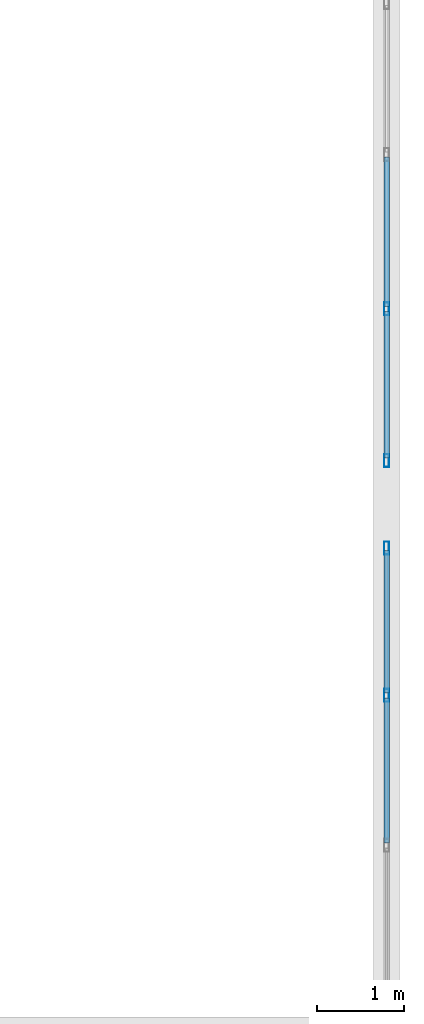
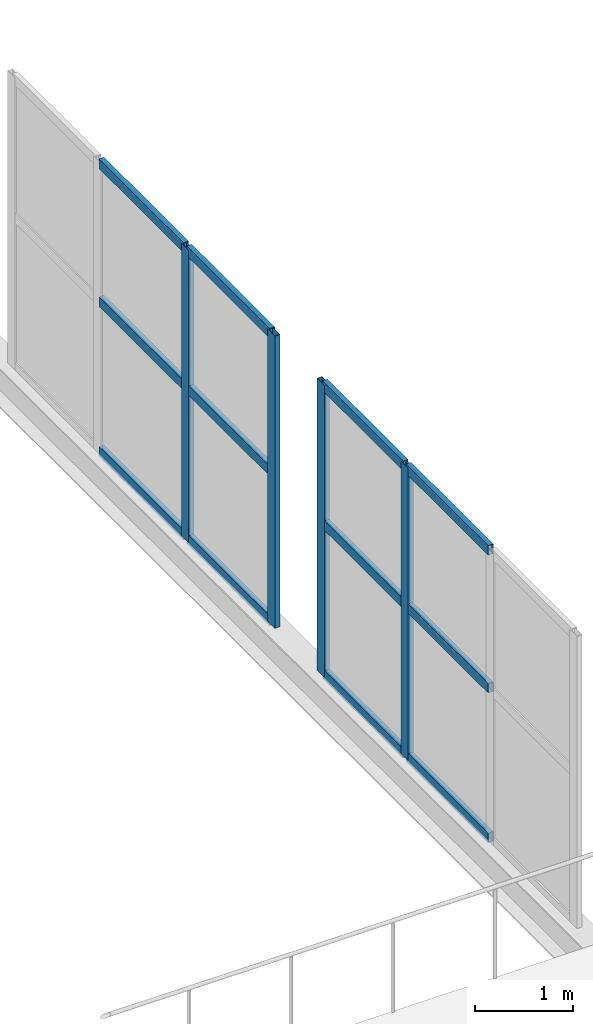
# One storey, part 154 of 218: 16 members, 2 elements without a shape of their own.
"""IFC4 building model written with IfcOpenShell, lengths in metres."""

from ifc_helpers import new_model, si_unit, direction, frame, origin, origin_2d, place, context, subcontext, project, spatial, hollow_rectangle, extrude, material, material_profile, profile_set, type_object, element, aggregate, save


model = new_model("IFC4")

# Units and contexts
model_context = context("Model", 3, precision=1e-05, world=origin(), true_north=direction((0.0, 1.0)))
body_context = subcontext(model_context, "Body", "Model", "MODEL_VIEW")
ifc_project = project(units=[si_unit("LENGTHUNIT", "METRE"), si_unit("AREAUNIT", "SQUARE_METRE"), si_unit("VOLUMEUNIT", "CUBIC_METRE"), si_unit("PLANEANGLEUNIT", "RADIAN"), si_unit("MASSUNIT", "GRAM", prefix="KILO")], contexts=[model_context])

# Site, building, storey
site_placement = place(None, origin())
site = spatial("IfcSite", under=ifc_project, at=site_placement, CompositionType="ELEMENT")
building_placement = place(site_placement, origin())
building = spatial("IfcBuilding", under=site, at=building_placement, Name="Kazenagashi Tramway Depot", CompositionType="ELEMENT")
storey_placement = place(building_placement, frame((0.0, 0.0, 6.0)))
storey = spatial("IfcBuildingStorey", under=building, at=storey_placement, Name="L02", CompositionType="ELEMENT", Elevation=6.0)

# Curtain wall, members
ifc_material_1 = material(Name="Anodised Aluminium and Low-E Glazing", Category="aluminium")
curtain_wall_type_1 = type_object("IfcCurtainWallType", Name="CW-04", PredefinedType="USERDEFINED", material=ifc_material_1)
curtain_wall_1_placement = place(storey_placement, origin())
curtain_wall_1 = element("IfcCurtainWall", 1, at=curtain_wall_1_placement, inside=storey, type_object=curtain_wall_type_1, Name="Industrial Glazed Screen CW-04 CW-0004", ObjectType="GLAZED SCREEN", PredefinedType="USERDEFINED")
ifc_material_2 = material(Name="Anodised Aluminium", Category="aluminium")
ifc_material_profile_1 = material_profile(ifc_material_2, hollow_rectangle(XDim=0.06, YDim=0.15, WallThickness=0.004, at=origin_2d()), Name="RHS-150x60x4")
ifc_profile_set_1 = profile_set([ifc_material_profile_1], Name="Anodised Aluminium")
member_type_1 = type_object("IfcMemberType", Name="ML-01", PredefinedType="MULLION", material=ifc_profile_set_1)
member_1_placement = place(storey_placement, frame((196.0, 83.866667, -0.02), z_axis=(0.0, 0.0, 1.0), x_axis=(-1.0, 0.0, 0.0)))
member_1 = element("IfcMember", 2, at=member_1_placement, type_object=member_type_1, Name="CW-04 mullion 3", PredefinedType="MULLION", context=body_context, shape_type="SweptSolid", body=[
    extrude(hollow_rectangle(XDim=0.06, YDim=0.15, WallThickness=0.004, at=origin_2d()), origin(), (0.0, 0.0, 1.0), 3.632),
])
member_2_placement = place(storey_placement, frame((196.0, 85.57, -0.02), z_axis=(0.0, 0.0, 1.0), x_axis=(-1.0, 0.0, 0.0)))
member_2 = element("IfcMember", 3, at=member_2_placement, type_object=member_type_1, Name="CW-04 mullion 4", PredefinedType="MULLION", context=body_context, shape_type="SweptSolid", body=[
    extrude(hollow_rectangle(XDim=0.06, YDim=0.15, WallThickness=0.004, at=origin_2d()), origin(), (0.0, 0.0, 1.0), 3.632),
])

curtain_wall_type_2 = type_object("IfcCurtainWallType", Name="CW-06", PredefinedType="USERDEFINED", material=ifc_material_1)
curtain_wall_2_placement = place(storey_placement, origin())
curtain_wall_2 = element("IfcCurtainWall", 4, at=curtain_wall_2_placement, inside=storey, type_object=curtain_wall_type_2, Name="Industrial Glazed Screen CW-06 CW-0006", ObjectType="GLAZED SCREEN", PredefinedType="USERDEFINED")
member_3_placement = place(storey_placement, frame((196.0, 86.58, -0.02), z_axis=(0.0, 0.0, 1.0), x_axis=(-1.0, 0.0, 0.0)))
member_3 = element("IfcMember", 5, at=member_3_placement, type_object=member_type_1, Name="CW-06 mullion 1", PredefinedType="MULLION", context=body_context, shape_type="SweptSolid", body=[
    extrude(hollow_rectangle(XDim=0.06, YDim=0.15, WallThickness=0.004, at=origin_2d()), origin(), (0.0, 0.0, 1.0), 3.632),
])
member_4_placement = place(storey_placement, frame((196.0, 88.333333, -0.02), z_axis=(0.0, 0.0, 1.0), x_axis=(-1.0, 0.0, 0.0)))
member_4 = element("IfcMember", 6, at=member_4_placement, type_object=member_type_1, Name="CW-06 mullion 2", PredefinedType="MULLION", context=body_context, shape_type="SweptSolid", body=[
    extrude(hollow_rectangle(XDim=0.06, YDim=0.15, WallThickness=0.004, at=origin_2d()), origin(), (0.0, 0.0, 1.0), 3.632),
])

# Member
ifc_material_profile_2 = material_profile(ifc_material_2, hollow_rectangle(XDim=0.06, YDim=0.12, WallThickness=0.004, at=origin_2d()), Name="RHS-120x60x4")
ifc_profile_set_2 = profile_set([ifc_material_profile_2], Name="Anodised Aluminium")
member_type_2 = type_object("IfcMemberType", Name="TR-01", PredefinedType="USERDEFINED", material=ifc_profile_set_2)
member_5_placement = place(storey_placement, frame((196.0, 82.163333, 0.01), z_axis=(0.0, 1.0, 0.0), x_axis=(-1.0, 0.0, 0.0)))
member_5 = element("IfcMember", 7, at=member_5_placement, type_object=member_type_2, Name="CW-04 transom 2.1", ObjectType="TRANSOM", PredefinedType="USERDEFINED", context=body_context, shape_type="SweptSolid", body=[
    extrude(hollow_rectangle(XDim=0.06, YDim=0.12, WallThickness=0.004, at=origin_2d()), origin(), (0.0, 0.0, 1.0), 1.673334),
])

member_6_placement = place(storey_placement, frame((196.0, 82.163333, 1.869), z_axis=(0.0, 1.0, 0.0), x_axis=(-1.0, 0.0, 0.0)))
member_6 = element("IfcMember", 8, at=member_6_placement, type_object=member_type_2, Name="CW-04 transom 2.2", ObjectType="TRANSOM", PredefinedType="USERDEFINED", context=body_context, shape_type="SweptSolid", body=[
    extrude(hollow_rectangle(XDim=0.06, YDim=0.12, WallThickness=0.004, at=origin_2d()), origin(), (0.0, 0.0, 1.0), 1.673334),
])

member_7_placement = place(storey_placement, frame((196.0, 82.163333, 3.582), z_axis=(0.0, 1.0, 0.0), x_axis=(-1.0, 0.0, 0.0)))
member_7 = element("IfcMember", 9, at=member_7_placement, type_object=member_type_2, Name="CW-04 transom 2.3", ObjectType="TRANSOM", PredefinedType="USERDEFINED", context=body_context, shape_type="SweptSolid", body=[
    extrude(hollow_rectangle(XDim=0.06, YDim=0.12, WallThickness=0.004, at=origin_2d()), origin(), (0.0, 0.0, 1.0), 1.673334),
])

member_8_placement = place(storey_placement, frame((196.0, 83.896667, 0.01), z_axis=(0.0, 1.0, 0.0), x_axis=(-1.0, 0.0, 0.0)))
member_8 = element("IfcMember", 10, at=member_8_placement, type_object=member_type_2, Name="CW-04 transom 3.1", ObjectType="TRANSOM", PredefinedType="USERDEFINED", context=body_context, shape_type="SweptSolid", body=[
    extrude(hollow_rectangle(XDim=0.06, YDim=0.12, WallThickness=0.004, at=origin_2d()), origin(), (0.0, 0.0, 1.0), 1.643333),
])

member_9_placement = place(storey_placement, frame((196.0, 83.896667, 1.869), z_axis=(0.0, 1.0, 0.0), x_axis=(-1.0, 0.0, 0.0)))
member_9 = element("IfcMember", 11, at=member_9_placement, type_object=member_type_2, Name="CW-04 transom 3.2", ObjectType="TRANSOM", PredefinedType="USERDEFINED", context=body_context, shape_type="SweptSolid", body=[
    extrude(hollow_rectangle(XDim=0.06, YDim=0.12, WallThickness=0.004, at=origin_2d()), origin(), (0.0, 0.0, 1.0), 1.643333),
])

member_10_placement = place(storey_placement, frame((196.0, 83.896667, 3.582), z_axis=(0.0, 1.0, 0.0), x_axis=(-1.0, 0.0, 0.0)))
member_10 = element("IfcMember", 12, at=member_10_placement, type_object=member_type_2, Name="CW-04 transom 3.3", ObjectType="TRANSOM", PredefinedType="USERDEFINED", context=body_context, shape_type="SweptSolid", body=[
    extrude(hollow_rectangle(XDim=0.06, YDim=0.12, WallThickness=0.004, at=origin_2d()), origin(), (0.0, 0.0, 1.0), 1.643333),
])

aggregate(curtain_wall_1, [member_1, member_2, member_5, member_6, member_7, member_8, member_9, member_10])

member_11_placement = place(storey_placement, frame((196.0, 86.61, 0.01), z_axis=(0.0, 1.0, 0.0), x_axis=(-1.0, 0.0, 0.0)))
member_11 = element("IfcMember", 13, at=member_11_placement, type_object=member_type_2, Name="CW-06 transom 1.1", ObjectType="TRANSOM", PredefinedType="USERDEFINED", context=body_context, shape_type="SweptSolid", body=[
    extrude(hollow_rectangle(XDim=0.06, YDim=0.12, WallThickness=0.004, at=origin_2d()), origin(), (0.0, 0.0, 1.0), 1.693333),
])

member_12_placement = place(storey_placement, frame((196.0, 86.61, 1.869), z_axis=(0.0, 1.0, 0.0), x_axis=(-1.0, 0.0, 0.0)))
member_12 = element("IfcMember", 14, at=member_12_placement, type_object=member_type_2, Name="CW-06 transom 1.2", ObjectType="TRANSOM", PredefinedType="USERDEFINED", context=body_context, shape_type="SweptSolid", body=[
    extrude(hollow_rectangle(XDim=0.06, YDim=0.12, WallThickness=0.004, at=origin_2d()), origin(), (0.0, 0.0, 1.0), 1.693333),
])

member_13_placement = place(storey_placement, frame((196.0, 86.61, 3.582), z_axis=(0.0, 1.0, 0.0), x_axis=(-1.0, 0.0, 0.0)))
member_13 = element("IfcMember", 15, at=member_13_placement, type_object=member_type_2, Name="CW-06 transom 1.3", ObjectType="TRANSOM", PredefinedType="USERDEFINED", context=body_context, shape_type="SweptSolid", body=[
    extrude(hollow_rectangle(XDim=0.06, YDim=0.12, WallThickness=0.004, at=origin_2d()), origin(), (0.0, 0.0, 1.0), 1.693333),
])

member_14_placement = place(storey_placement, frame((196.0, 88.363333, 0.01), z_axis=(0.0, 1.0, 0.0), x_axis=(-1.0, 0.0, 0.0)))
member_14 = element("IfcMember", 16, at=member_14_placement, type_object=member_type_2, Name="CW-06 transom 2.1", ObjectType="TRANSOM", PredefinedType="USERDEFINED", context=body_context, shape_type="SweptSolid", body=[
    extrude(hollow_rectangle(XDim=0.06, YDim=0.12, WallThickness=0.004, at=origin_2d()), origin(), (0.0, 0.0, 1.0), 1.723334),
])

member_15_placement = place(storey_placement, frame((196.0, 88.363333, 1.869), z_axis=(0.0, 1.0, 0.0), x_axis=(-1.0, 0.0, 0.0)))
member_15 = element("IfcMember", 17, at=member_15_placement, type_object=member_type_2, Name="CW-06 transom 2.2", ObjectType="TRANSOM", PredefinedType="USERDEFINED", context=body_context, shape_type="SweptSolid", body=[
    extrude(hollow_rectangle(XDim=0.06, YDim=0.12, WallThickness=0.004, at=origin_2d()), origin(), (0.0, 0.0, 1.0), 1.723334),
])

member_16_placement = place(storey_placement, frame((196.0, 88.363333, 3.582), z_axis=(0.0, 1.0, 0.0), x_axis=(-1.0, 0.0, 0.0)))
member_16 = element("IfcMember", 18, at=member_16_placement, type_object=member_type_2, Name="CW-06 transom 2.3", ObjectType="TRANSOM", PredefinedType="USERDEFINED", context=body_context, shape_type="SweptSolid", body=[
    extrude(hollow_rectangle(XDim=0.06, YDim=0.12, WallThickness=0.004, at=origin_2d()), origin(), (0.0, 0.0, 1.0), 1.723334),
])

aggregate(curtain_wall_2, [member_3, member_4, member_11, member_12, member_13, member_14, member_15, member_16])

save(model, "model.ifc")
